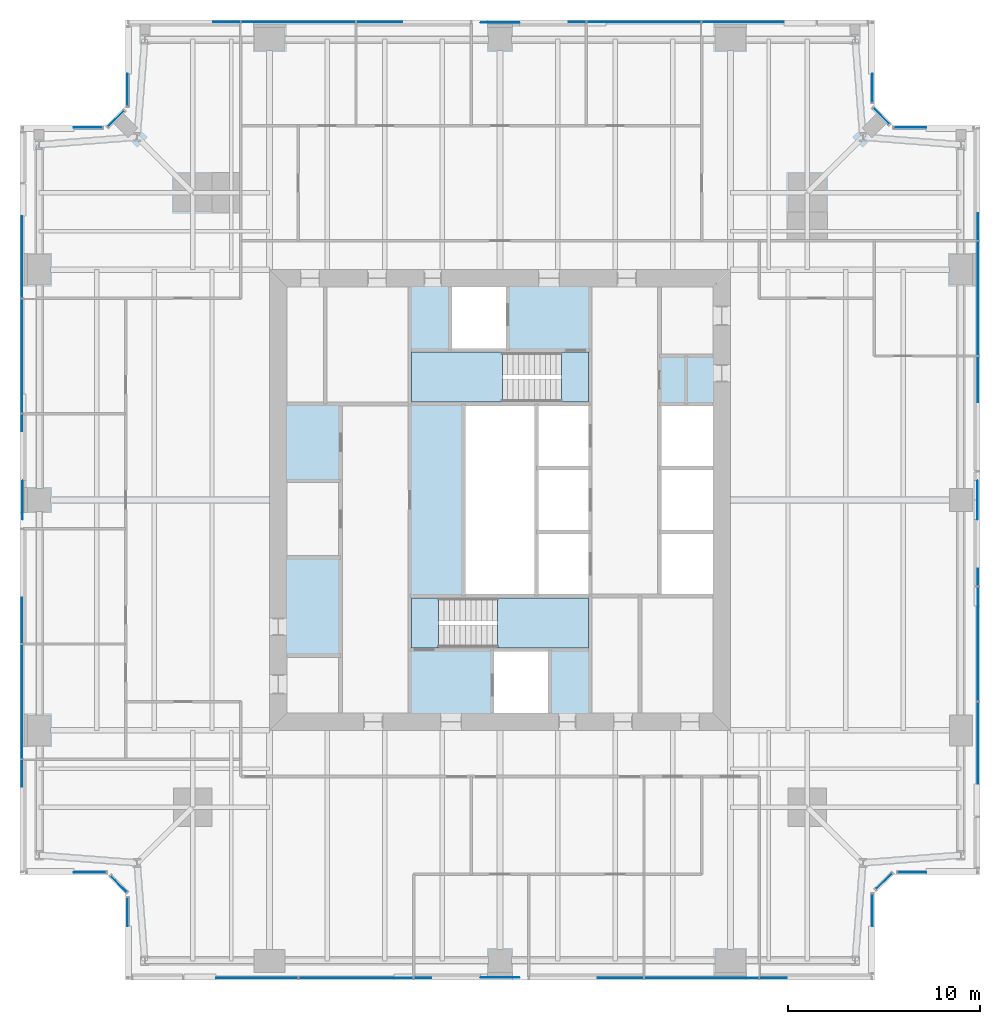
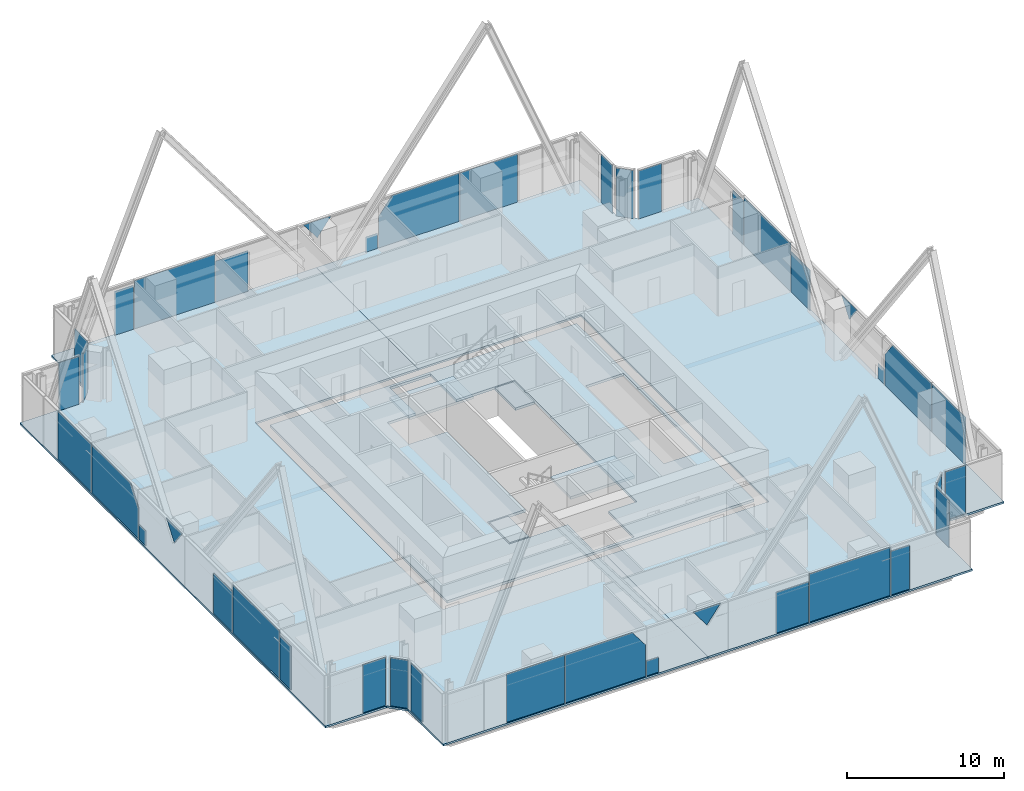
# One storey, part 8 of 14: 40 plates, 7 slabs, 18 elements without a shape of their own.
"""IFC4 building model written with IfcOpenShell, lengths in metres."""

from ifc_helpers import new_model, si_unit, direction, frame, origin, origin_2d, place, context, subcontext, project, spatial, polyline, rectangle, outline, extrude, material, layer, layer_set, type_object, element, aggregate, save


model = new_model("IFC4")

# Units and contexts
model_context = context("Model", 3, precision=1e-05, world=origin(), true_north=direction((0.0, 1.0)))
body_context = subcontext(model_context, "Body", "Model", "MODEL_VIEW")
ifc_project = project(units=[si_unit("LENGTHUNIT", "METRE"), si_unit("AREAUNIT", "SQUARE_METRE"), si_unit("VOLUMEUNIT", "CUBIC_METRE"), si_unit("PLANEANGLEUNIT", "RADIAN"), si_unit("MASSUNIT", "GRAM", prefix="KILO")], contexts=[model_context])

# Site, building, storey
site_placement = place(None, origin())
site = spatial("IfcSite", under=ifc_project, at=site_placement, CompositionType="ELEMENT")
building_placement = place(site_placement, origin())
building = spatial("IfcBuilding", under=site, at=building_placement, Name="Fenwick Lantern Interchange", CompositionType="ELEMENT")
storey_placement = place(building_placement, frame((0.0, 0.0, 185.800048828125)))
storey = spatial("IfcBuildingStorey", under=building, at=storey_placement, Name="L43", CompositionType="ELEMENT", Elevation=185.800048828125)

# Slabs
ifc_material_1 = material(Name="Concrete f'c 35 MPa", Category="concrete")
ifc_layer_1 = layer(ifc_material_1, 0.199951171875)
ifc_layer_set_1 = layer_set([ifc_layer_1], Name="CORE FLOOR SLAB 200")
slab_type_1 = type_object("IfcSlabType", Name="CORE FLOOR SLAB 200", PredefinedType="FLOOR", material=ifc_layer_set_1)
slab_1_placement = place(storey_placement, frame((0.0, 0.0, -0.199951171875)))
element("IfcSlab", 1, at=slab_1_placement, inside=storey, type_object=slab_type_1, Name="L43/SLAB/CORE", PredefinedType="FLOOR", context=body_context, shape_type="SweptSolid", body=[
    extrude(outline(polyline([(13.699951171875, 36.300048828125), (36.300048828125, 36.300048828125), (36.300048828125, 13.699951171875), (13.699951171875, 13.699951171875), (13.699951171875, 36.300048828125)]), holes=[polyline([(24.60009765625, 13.89990234375), (27.60009765625, 13.89990234375), (27.60009765625, 17.199951171875), (29.699951171875, 17.199951171875), (29.699951171875, 20.0), (29.699951171875, 23.333251953125), (29.699951171875, 26.666748046875), (29.699951171875, 30.0), (29.699951171875, 32.800048828125), (25.39990234375, 32.800048828125), (25.39990234375, 36.10009765625), (22.39990234375, 36.10009765625), (22.39990234375, 32.800048828125), (20.300048828125, 32.800048828125), (20.300048828125, 30.0), (23.10009765625, 30.0), (23.10009765625, 20.0), (20.300048828125, 20.0), (20.300048828125, 17.199951171875), (24.60009765625, 17.199951171875), (24.60009765625, 13.89990234375)]), polyline([(33.300048828125, 23.333251953125), (33.300048828125, 20.0), (36.10009765625, 20.0), (36.10009765625, 23.333251953125), (36.10009765625, 26.666748046875), (36.10009765625, 30.0), (33.300048828125, 30.0), (33.300048828125, 26.666748046875), (33.300048828125, 23.333251953125)])]), origin(), (0.0, 0.0, 1.0), 0.199951171875),
])
ifc_material_2 = material(Name="Concrete f'c 35 MPa", Category="concrete")
ifc_layer_2 = layer(ifc_material_2, 0.14990234375)
ifc_layer_set_2 = layer_set([ifc_layer_2], Name="Concrete f'c 35 MPa")
slab_type_2 = type_object("IfcSlabType", Name="FLOOR SLAB 150", PredefinedType="FLOOR", material=ifc_layer_set_2)
slab_2_placement = place(storey_placement, frame((0.0, 0.0, -0.150146484375)))
element("IfcSlab", 2, at=slab_2_placement, inside=storey, type_object=slab_type_2, Name="L43/SLAB/FW", PredefinedType="FLOOR", context=body_context, shape_type="SweptSolid", body=[
    extrude(outline(polyline([(5.5, 0.0), (5.5, 4.5), (4.5, 5.5), (0.0, 5.5), (0.0, 44.5), (4.5, 44.5), (5.5, 45.5), (5.5, 50.0), (25.0, 50.0), (25.0, 37.0), (13.0, 37.0), (13.0, 13.0), (25.0, 13.0), (25.0, 0.0), (5.5, 0.0)])), origin(), (0.0, 0.0, 1.0), 0.150146484375),
])
slab_3_placement = place(storey_placement, frame((0.0, 0.0, -0.150146484375)))
element("IfcSlab", 3, at=slab_3_placement, inside=storey, type_object=slab_type_2, Name="L43/SLAB/FE", PredefinedType="FLOOR", context=body_context, shape_type="SweptSolid", body=[
    extrude(outline(polyline([(44.5, 50.0), (44.5, 45.5), (45.5, 44.5), (50.0, 44.5), (50.0, 5.5), (45.5, 5.5), (44.5, 4.5), (44.5, 0.0), (25.0, 0.0), (25.0, 13.0), (37.0, 13.0), (37.0, 37.0), (25.0, 37.0), (25.0, 50.0), (44.5, 50.0)])), origin(), (0.0, 0.0, 1.0), 0.150146484375),
])

# Curtain wall, plates
ifc_material_3 = material(Name="Aluminium curtain wall frame", Category="aluminium")
curtain_wall_type = type_object("IfcCurtainWallType", Name="OFFICE CURTAIN WALL", PredefinedType="USERDEFINED", material=ifc_material_3)
curtain_wall_1_placement = place(storey_placement, origin())
curtain_wall_1 = element("IfcCurtainWall", 4, at=curtain_wall_1_placement, inside=storey, type_object=curtain_wall_type, Name="Office curtain wall 01", ObjectType="OFFICE CURTAIN WALL", PredefinedType="USERDEFINED")
ifc_material_4 = material(Name="Vision glass, clear low-iron double glazed", Category="glass")
ifc_layer_3 = layer(ifc_material_4, 0.031982421875)
ifc_layer_set_3 = layer_set([ifc_layer_3], Name="OFFICE CURTAIN WALL PANEL 32")
plate_type = type_object("IfcPlateType", Name="OFFICE CURTAIN WALL PANEL 32", PredefinedType="CURTAIN_PANEL", material=ifc_layer_set_3)
plate_1_placement = place(storey_placement, frame((5.60009765625, 0.10009765625, 0.0), z_axis=(0.0, 0.0, 1.0), x_axis=(1.0, 0.0, 0.0)))
plate_1 = element("IfcPlate", 5, at=plate_1_placement, type_object=plate_type, Name="L43/CW/01/P01a", PredefinedType="CURTAIN_PANEL", context=body_context, shape_type="SweptSolid", body=[
    extrude(outline(polyline([(4.614013671875, 0.0), (8.867431640625, 0.0), (8.867431640625, 3.75), (4.614013671875, 3.75), (4.614013671875, 0.0)])), frame((0.0, 0.01611328125, 0.0), z_axis=(0.0, -1.0, 0.0), x_axis=(1.0, 0.0, 0.0)), (0.0, 0.0, 1.0), 0.031982421875),
])
plate_2_placement = place(storey_placement, frame((5.60009765625, 0.10009765625, 0.0), z_axis=(0.0, 0.0, 1.0), x_axis=(1.0, 0.0, 0.0)))
plate_2 = element("IfcPlate", 6, at=plate_2_placement, type_object=plate_type, Name="L43/CW/01/P02a", PredefinedType="CURTAIN_PANEL", context=body_context, shape_type="SweptSolid", body=[
    extrude(outline(polyline([(8.9326171875, 0.0), (14.867431640625, 0.0), (14.867431640625, 2.437255859375), (13.883056640625, 3.75), (8.9326171875, 3.75), (8.9326171875, 0.0)])), frame((0.0, 0.01611328125, 0.0), z_axis=(0.0, -1.0, 0.0), x_axis=(1.0, 0.0, 0.0)), (0.0, 0.0, 1.0), 0.031982421875),
])
plate_3_placement = place(storey_placement, frame((5.60009765625, 0.10009765625, 0.0), z_axis=(0.0, 0.0, 1.0), x_axis=(1.0, 0.0, 0.0)))
plate_3 = element("IfcPlate", 7, at=plate_3_placement, type_object=plate_type, Name="L43/CW/01/P03a", PredefinedType="CURTAIN_PANEL", context=body_context, shape_type="SweptSolid", body=[
    extrude(outline(polyline([(14.9326171875, 0.0), (15.8125, 0.0), (15.8125, 1.17724609375), (14.9326171875, 1.17724609375), (14.9326171875, 0.0)])), frame((0.0, 0.01611328125, 0.0), z_axis=(0.0, -1.0, 0.0), x_axis=(1.0, 0.0, 0.0)), (0.0, 0.0, 1.0), 0.031982421875),
])
plate_4_placement = place(storey_placement, frame((5.60009765625, 0.10009765625, 2.39404296875), z_axis=(0.0, 0.0, 1.0), x_axis=(1.0, 0.0, 0.0)))
plate_4 = element("IfcPlate", 8, at=plate_4_placement, type_object=plate_type, Name="L43/CW/01/P03b", PredefinedType="CURTAIN_PANEL", context=body_context, shape_type="SweptSolid", body=[
    extrude(outline(polyline([(19.39990234375, 0.0), (20.4169921875, 1.35595703125), (18.383056640625, 1.35595703125), (19.39990234375, 0.0)])), frame((0.0, 0.0498046875, 0.0), z_axis=(0.0, -1.0, 0.0), x_axis=(1.0, 0.0, 0.0)), (0.0, 0.0, 1.0), 0.031982421875),
])
plate_5_placement = place(storey_placement, frame((5.60009765625, 0.10009765625, 0.0), z_axis=(0.0, 0.0, 1.0), x_axis=(1.0, 0.0, 0.0)))
plate_5 = element("IfcPlate", 9, at=plate_5_placement, type_object=plate_type, Name="L43/CW/01/P04a", PredefinedType="CURTAIN_PANEL", context=body_context, shape_type="SweptSolid", body=[
    extrude(outline(polyline([(24.484619140625, 0.0), (26.867431640625, 0.0), (26.867431640625, 3.17333984375), (24.484619140625, 3.17333984375), (24.484619140625, 0.0)])), frame((0.0, 0.01611328125, 0.0), z_axis=(0.0, -1.0, 0.0), x_axis=(1.0, 0.0, 0.0)), (0.0, 0.0, 1.0), 0.031982421875),
])
plate_6_placement = place(storey_placement, frame((35.5, 0.10009765625, 0.0), z_axis=(0.0, 0.0, 1.0), x_axis=(1.0, 0.0, 0.0)))
plate_6 = element("IfcPlate", 10, at=plate_6_placement, type_object=plate_type, Name="L43/CW/01/P05", PredefinedType="CURTAIN_PANEL", context=body_context, shape_type="SweptSolid", body=[
    extrude(rectangle(XDim=5.93505859375, YDim=0.031982421875, at=origin_2d()), origin(), (0.0, 0.0, 1.0), 3.75),
])
plate_7_placement = place(storey_placement, frame((5.60009765625, 0.10009765625, 0.0), z_axis=(0.0, 0.0, 1.0), x_axis=(1.0, 0.0, 0.0)))
plate_7 = element("IfcPlate", 11, at=plate_7_placement, type_object=plate_type, Name="L43/CW/01/P06a", PredefinedType="CURTAIN_PANEL", context=body_context, shape_type="SweptSolid", body=[
    extrude(outline(polyline([(32.9326171875, 0.0), (34.322509765625, 0.0), (34.322509765625, 3.417724609375), (32.9326171875, 3.417724609375), (32.9326171875, 0.0)])), frame((0.0, 0.01611328125, 0.0), z_axis=(0.0, -1.0, 0.0), x_axis=(1.0, 0.0, 0.0)), (0.0, 0.0, 1.0), 0.031982421875),
])
aggregate(curtain_wall_1, [plate_1, plate_2, plate_3, plate_4, plate_5, plate_6, plate_7])

# Curtain wall, plate
curtain_wall_2_placement = place(storey_placement, origin())
curtain_wall_2 = element("IfcCurtainWall", 12, at=curtain_wall_2_placement, inside=storey, type_object=curtain_wall_type, Name="Office curtain wall 02", ObjectType="OFFICE CURTAIN WALL", PredefinedType="USERDEFINED")
plate_8_placement = place(storey_placement, frame((44.39990234375, 0.10009765625, 0.0), z_axis=(0.0, 0.0, 1.0), x_axis=(0.0, 1.0, 0.0)))
plate_8 = element("IfcPlate", 13, at=plate_8_placement, type_object=plate_type, Name="L43/CW/02/P00a", PredefinedType="CURTAIN_PANEL", context=body_context, shape_type="SweptSolid", body=[
    extrude(outline(polyline([(2.699951171875, 0.0), (4.37646484375, 0.0), (4.37646484375, 3.75), (2.699951171875, 3.75), (2.699951171875, 0.0)])), frame((0.0, 0.01611328125, 0.0), z_axis=(0.0, -1.0, 0.0), x_axis=(1.0, 0.0, 0.0)), (0.0, 0.0, 1.0), 0.031982421875),
])
aggregate(curtain_wall_2, [plate_8])

curtain_wall_3_placement = place(storey_placement, origin())
curtain_wall_3 = element("IfcCurtainWall", 14, at=curtain_wall_3_placement, inside=storey, type_object=curtain_wall_type, Name="Office curtain wall 03", ObjectType="OFFICE CURTAIN WALL", PredefinedType="USERDEFINED")
plate_9_placement = place(storey_placement, frame((45.0, 5.141357421875, 0.0), z_axis=(0.0, 0.0, 1.0), x_axis=(0.707106781187, 0.707106781187, 0.0)))
plate_9 = element("IfcPlate", 15, at=plate_9_placement, type_object=plate_type, Name="L43/CW/03/P00", PredefinedType="CURTAIN_PANEL", context=body_context, shape_type="SweptSolid", body=[
    extrude(rectangle(XDim=1.1669921875, YDim=0.031982421875, at=origin_2d()), origin(), (0.0, 0.0, 1.0), 3.75),
])
aggregate(curtain_wall_3, [plate_9])

curtain_wall_4_placement = place(storey_placement, origin())
curtain_wall_4 = element("IfcCurtainWall", 16, at=curtain_wall_4_placement, inside=storey, type_object=curtain_wall_type, Name="Office curtain wall 04", ObjectType="OFFICE CURTAIN WALL", PredefinedType="USERDEFINED")
plate_10_placement = place(storey_placement, frame((45.45849609375, 5.60009765625, 0.0), z_axis=(0.0, 0.0, 1.0), x_axis=(1.0, 0.0, 0.0)))
plate_10 = element("IfcPlate", 17, at=plate_10_placement, type_object=plate_type, Name="L43/CW/04/P00a", PredefinedType="CURTAIN_PANEL", context=body_context, shape_type="SweptSolid", body=[
    extrude(outline(polyline([(0.264892578125, 0.0), (1.741455078125, 0.0), (1.741455078125, 3.75), (0.264892578125, 3.75), (0.264892578125, 0.0)])), frame((0.0, 0.01611328125, 0.0), z_axis=(0.0, -1.0, 0.0), x_axis=(1.0, 0.0, 0.0)), (0.0, 0.0, 1.0), 0.031982421875),
])
aggregate(curtain_wall_4, [plate_10])

# Curtain wall, plates
curtain_wall_5_placement = place(storey_placement, origin())
curtain_wall_5 = element("IfcCurtainWall", 18, at=curtain_wall_5_placement, inside=storey, type_object=curtain_wall_type, Name="Office curtain wall 05", ObjectType="OFFICE CURTAIN WALL", PredefinedType="USERDEFINED")
plate_11_placement = place(storey_placement, frame((49.89990234375, 5.60009765625, 0.0), z_axis=(0.0, 0.0, 1.0), x_axis=(0.0, 1.0, 0.0)))
plate_11 = element("IfcPlate", 19, at=plate_11_placement, type_object=plate_type, Name="L43/CW/05/P01a", PredefinedType="CURTAIN_PANEL", context=body_context, shape_type="SweptSolid", body=[
    extrude(outline(polyline([(4.614013671875, 0.0), (8.867431640625, 0.0), (8.867431640625, 3.75), (4.614013671875, 3.75), (4.614013671875, 0.0)])), frame((0.0, 0.01611328125, 0.0), z_axis=(0.0, -1.0, 0.0), x_axis=(1.0, 0.0, 0.0)), (0.0, 0.0, 1.0), 0.031982421875),
])
plate_12_placement = place(storey_placement, frame((49.89990234375, 5.60009765625, 0.0), z_axis=(0.0, 0.0, 1.0), x_axis=(0.0, 1.0, 0.0)))
plate_12 = element("IfcPlate", 20, at=plate_12_placement, type_object=plate_type, Name="L43/CW/05/P02a", PredefinedType="CURTAIN_PANEL", context=body_context, shape_type="SweptSolid", body=[
    extrude(outline(polyline([(8.9326171875, 0.0), (14.867431640625, 0.0), (14.867431640625, 2.437255859375), (13.883056640625, 3.75), (8.9326171875, 3.75), (8.9326171875, 0.0)])), frame((0.0, 0.01611328125, 0.0), z_axis=(0.0, -1.0, 0.0), x_axis=(1.0, 0.0, 0.0)), (0.0, 0.0, 1.0), 0.031982421875),
])
plate_13_placement = place(storey_placement, frame((49.89990234375, 5.60009765625, 0.0), z_axis=(0.0, 0.0, 1.0), x_axis=(0.0, 1.0, 0.0)))
plate_13 = element("IfcPlate", 21, at=plate_13_placement, type_object=plate_type, Name="L43/CW/05/P03a", PredefinedType="CURTAIN_PANEL", context=body_context, shape_type="SweptSolid", body=[
    extrude(outline(polyline([(14.9326171875, 0.0), (15.8125, 0.0), (15.8125, 1.17724609375), (14.9326171875, 1.17724609375), (14.9326171875, 0.0)])), frame((0.0, 0.01611328125, 0.0), z_axis=(0.0, -1.0, 0.0), x_axis=(1.0, 0.0, 0.0)), (0.0, 0.0, 1.0), 0.031982421875),
])
plate_14_placement = place(storey_placement, frame((49.89990234375, 5.60009765625, 2.39404296875), z_axis=(0.0, 0.0, 1.0), x_axis=(0.0, 1.0, 0.0)))
plate_14 = element("IfcPlate", 22, at=plate_14_placement, type_object=plate_type, Name="L43/CW/05/P03b", PredefinedType="CURTAIN_PANEL", context=body_context, shape_type="SweptSolid", body=[
    extrude(outline(polyline([(19.39990234375, 0.0), (20.4169921875, 1.35595703125), (18.383056640625, 1.35595703125), (19.39990234375, 0.0)])), frame((0.0, 0.0498046875, 0.0), z_axis=(0.0, -1.0, 0.0), x_axis=(1.0, 0.0, 0.0)), (0.0, 0.0, 1.0), 0.031982421875),
])
plate_15_placement = place(storey_placement, frame((49.89990234375, 5.60009765625, 0.0), z_axis=(0.0, 0.0, 1.0), x_axis=(0.0, 1.0, 0.0)))
plate_15 = element("IfcPlate", 23, at=plate_15_placement, type_object=plate_type, Name="L43/CW/05/P04a", PredefinedType="CURTAIN_PANEL", context=body_context, shape_type="SweptSolid", body=[
    extrude(outline(polyline([(24.484619140625, 0.0), (26.867431640625, 0.0), (26.867431640625, 3.17333984375), (24.484619140625, 3.17333984375), (24.484619140625, 0.0)])), frame((0.0, 0.01611328125, 0.0), z_axis=(0.0, -1.0, 0.0), x_axis=(1.0, 0.0, 0.0)), (0.0, 0.0, 1.0), 0.031982421875),
])
plate_16_placement = place(storey_placement, frame((49.89990234375, 35.5, 0.0), z_axis=(0.0, 0.0, 1.0), x_axis=(0.0, 1.0, 0.0)))
plate_16 = element("IfcPlate", 24, at=plate_16_placement, type_object=plate_type, Name="L43/CW/05/P05", PredefinedType="CURTAIN_PANEL", context=body_context, shape_type="SweptSolid", body=[
    extrude(rectangle(XDim=5.93505859375, YDim=0.031982421875, at=origin_2d()), origin(), (0.0, 0.0, 1.0), 3.75),
])
plate_17_placement = place(storey_placement, frame((49.89990234375, 5.60009765625, 0.0), z_axis=(0.0, 0.0, 1.0), x_axis=(0.0, 1.0, 0.0)))
plate_17 = element("IfcPlate", 25, at=plate_17_placement, type_object=plate_type, Name="L43/CW/05/P06a", PredefinedType="CURTAIN_PANEL", context=body_context, shape_type="SweptSolid", body=[
    extrude(outline(polyline([(32.9326171875, 0.0), (34.322509765625, 0.0), (34.322509765625, 3.417724609375), (32.9326171875, 3.417724609375), (32.9326171875, 0.0)])), frame((0.0, 0.01611328125, 0.0), z_axis=(0.0, -1.0, 0.0), x_axis=(1.0, 0.0, 0.0)), (0.0, 0.0, 1.0), 0.031982421875),
])
aggregate(curtain_wall_5, [plate_11, plate_12, plate_13, plate_14, plate_15, plate_16, plate_17])

# Curtain wall, plate
curtain_wall_6_placement = place(storey_placement, origin())
curtain_wall_6 = element("IfcCurtainWall", 26, at=curtain_wall_6_placement, inside=storey, type_object=curtain_wall_type, Name="Office curtain wall 06", ObjectType="OFFICE CURTAIN WALL", PredefinedType="USERDEFINED")
plate_18_placement = place(storey_placement, frame((49.89990234375, 44.39990234375, 0.0), z_axis=(0.0, 0.0, 1.0), x_axis=(-1.0, 0.0, 0.0)))
plate_18 = element("IfcPlate", 27, at=plate_18_placement, type_object=plate_type, Name="L43/CW/06/P00a", PredefinedType="CURTAIN_PANEL", context=body_context, shape_type="SweptSolid", body=[
    extrude(outline(polyline([(2.699951171875, 0.0), (4.37646484375, 0.0), (4.37646484375, 3.75), (2.699951171875, 3.75), (2.699951171875, 0.0)])), frame((0.0, 0.01611328125, 0.0), z_axis=(0.0, -1.0, 0.0), x_axis=(1.0, 0.0, 0.0)), (0.0, 0.0, 1.0), 0.031982421875),
])
aggregate(curtain_wall_6, [plate_18])

curtain_wall_7_placement = place(storey_placement, origin())
curtain_wall_7 = element("IfcCurtainWall", 28, at=curtain_wall_7_placement, inside=storey, type_object=curtain_wall_type, Name="Office curtain wall 07", ObjectType="OFFICE CURTAIN WALL", PredefinedType="USERDEFINED")
plate_19_placement = place(storey_placement, frame((44.858642578125, 45.0, 0.0), z_axis=(0.0, 0.0, 1.0), x_axis=(-0.707106781187, 0.707106781187, 0.0)))
plate_19 = element("IfcPlate", 29, at=plate_19_placement, type_object=plate_type, Name="L43/CW/07/P00", PredefinedType="CURTAIN_PANEL", context=body_context, shape_type="SweptSolid", body=[
    extrude(rectangle(XDim=1.1669921875, YDim=0.031982421875, at=origin_2d()), origin(), (0.0, 0.0, 1.0), 3.75),
])
aggregate(curtain_wall_7, [plate_19])

curtain_wall_8_placement = place(storey_placement, origin())
curtain_wall_8 = element("IfcCurtainWall", 30, at=curtain_wall_8_placement, inside=storey, type_object=curtain_wall_type, Name="Office curtain wall 08", ObjectType="OFFICE CURTAIN WALL", PredefinedType="USERDEFINED")
plate_20_placement = place(storey_placement, frame((44.39990234375, 45.45849609375, 0.0), z_axis=(0.0, 0.0, 1.0), x_axis=(0.0, 1.0, 0.0)))
plate_20 = element("IfcPlate", 31, at=plate_20_placement, type_object=plate_type, Name="L43/CW/08/P00a", PredefinedType="CURTAIN_PANEL", context=body_context, shape_type="SweptSolid", body=[
    extrude(outline(polyline([(0.264892578125, 0.0), (1.741455078125, 0.0), (1.741455078125, 3.75), (0.264892578125, 3.75), (0.264892578125, 0.0)])), frame((0.0, 0.01611328125, 0.0), z_axis=(0.0, -1.0, 0.0), x_axis=(1.0, 0.0, 0.0)), (0.0, 0.0, 1.0), 0.031982421875),
])
aggregate(curtain_wall_8, [plate_20])

# Curtain wall, plates
curtain_wall_9_placement = place(storey_placement, origin())
curtain_wall_9 = element("IfcCurtainWall", 32, at=curtain_wall_9_placement, inside=storey, type_object=curtain_wall_type, Name="Office curtain wall 09", ObjectType="OFFICE CURTAIN WALL", PredefinedType="USERDEFINED")
plate_21_placement = place(storey_placement, frame((44.39990234375, 49.89990234375, 0.0), z_axis=(0.0, 0.0, 1.0), x_axis=(-1.0, 0.0, 0.0)))
plate_21 = element("IfcPlate", 33, at=plate_21_placement, type_object=plate_type, Name="L43/CW/09/P01a", PredefinedType="CURTAIN_PANEL", context=body_context, shape_type="SweptSolid", body=[
    extrude(outline(polyline([(4.614013671875, 0.0), (8.867431640625, 0.0), (8.867431640625, 3.75), (4.614013671875, 3.75), (4.614013671875, 0.0)])), frame((0.0, 0.01611328125, 0.0), z_axis=(0.0, -1.0, 0.0), x_axis=(1.0, 0.0, 0.0)), (0.0, 0.0, 1.0), 0.031982421875),
])
plate_22_placement = place(storey_placement, frame((44.39990234375, 49.89990234375, 0.0), z_axis=(0.0, 0.0, 1.0), x_axis=(-1.0, 0.0, 0.0)))
plate_22 = element("IfcPlate", 34, at=plate_22_placement, type_object=plate_type, Name="L43/CW/09/P02a", PredefinedType="CURTAIN_PANEL", context=body_context, shape_type="SweptSolid", body=[
    extrude(outline(polyline([(8.9326171875, 0.0), (14.867431640625, 0.0), (14.867431640625, 2.437255859375), (13.883056640625, 3.75), (8.9326171875, 3.75), (8.9326171875, 0.0)])), frame((0.0, 0.01611328125, 0.0), z_axis=(0.0, -1.0, 0.0), x_axis=(1.0, 0.0, 0.0)), (0.0, 0.0, 1.0), 0.031982421875),
])
plate_23_placement = place(storey_placement, frame((44.39990234375, 49.89990234375, 0.0), z_axis=(0.0, 0.0, 1.0), x_axis=(-1.0, 0.0, 0.0)))
plate_23 = element("IfcPlate", 35, at=plate_23_placement, type_object=plate_type, Name="L43/CW/09/P03a", PredefinedType="CURTAIN_PANEL", context=body_context, shape_type="SweptSolid", body=[
    extrude(outline(polyline([(14.9326171875, 0.0), (15.8125, 0.0), (15.8125, 1.17724609375), (14.9326171875, 1.17724609375), (14.9326171875, 0.0)])), frame((0.0, 0.01611328125, 0.0), z_axis=(0.0, -1.0, 0.0), x_axis=(1.0, 0.0, 0.0)), (0.0, 0.0, 1.0), 0.031982421875),
])
plate_24_placement = place(storey_placement, frame((44.39990234375, 49.89990234375, 2.39404296875), z_axis=(0.0, 0.0, 1.0), x_axis=(-1.0, 0.0, 0.0)))
plate_24 = element("IfcPlate", 36, at=plate_24_placement, type_object=plate_type, Name="L43/CW/09/P03b", PredefinedType="CURTAIN_PANEL", context=body_context, shape_type="SweptSolid", body=[
    extrude(outline(polyline([(19.39990234375, 0.0), (20.4169921875, 1.35595703125), (18.383056640625, 1.35595703125), (19.39990234375, 0.0)])), frame((0.0, 0.0498046875, 0.0), z_axis=(0.0, -1.0, 0.0), x_axis=(1.0, 0.0, 0.0)), (0.0, 0.0, 1.0), 0.031982421875),
])
plate_25_placement = place(storey_placement, frame((44.39990234375, 49.89990234375, 0.0), z_axis=(0.0, 0.0, 1.0), x_axis=(-1.0, 0.0, 0.0)))
plate_25 = element("IfcPlate", 37, at=plate_25_placement, type_object=plate_type, Name="L43/CW/09/P04a", PredefinedType="CURTAIN_PANEL", context=body_context, shape_type="SweptSolid", body=[
    extrude(outline(polyline([(24.484619140625, 0.0), (26.867431640625, 0.0), (26.867431640625, 3.17333984375), (24.484619140625, 3.17333984375), (24.484619140625, 0.0)])), frame((0.0, 0.01611328125, 0.0), z_axis=(0.0, -1.0, 0.0), x_axis=(1.0, 0.0, 0.0)), (0.0, 0.0, 1.0), 0.031982421875),
])
plate_26_placement = place(storey_placement, frame((14.5, 49.89990234375, 0.0), z_axis=(0.0, 0.0, 1.0), x_axis=(-1.0, 0.0, 0.0)))
plate_26 = element("IfcPlate", 38, at=plate_26_placement, type_object=plate_type, Name="L43/CW/09/P05", PredefinedType="CURTAIN_PANEL", context=body_context, shape_type="SweptSolid", body=[
    extrude(rectangle(XDim=5.93505859375, YDim=0.031982421875, at=origin_2d()), origin(), (0.0, 0.0, 1.0), 3.75),
])
plate_27_placement = place(storey_placement, frame((44.39990234375, 49.89990234375, 0.0), z_axis=(0.0, 0.0, 1.0), x_axis=(-1.0, 0.0, 0.0)))
plate_27 = element("IfcPlate", 39, at=plate_27_placement, type_object=plate_type, Name="L43/CW/09/P06a", PredefinedType="CURTAIN_PANEL", context=body_context, shape_type="SweptSolid", body=[
    extrude(outline(polyline([(32.9326171875, 0.0), (34.322509765625, 0.0), (34.322509765625, 3.417724609375), (32.9326171875, 3.417724609375), (32.9326171875, 0.0)])), frame((0.0, 0.01611328125, 0.0), z_axis=(0.0, -1.0, 0.0), x_axis=(1.0, 0.0, 0.0)), (0.0, 0.0, 1.0), 0.031982421875),
])
aggregate(curtain_wall_9, [plate_21, plate_22, plate_23, plate_24, plate_25, plate_26, plate_27])

# Curtain wall, plate
curtain_wall_10_placement = place(storey_placement, origin())
curtain_wall_10 = element("IfcCurtainWall", 40, at=curtain_wall_10_placement, inside=storey, type_object=curtain_wall_type, Name="Office curtain wall 10", ObjectType="OFFICE CURTAIN WALL", PredefinedType="USERDEFINED")
plate_28_placement = place(storey_placement, frame((5.60009765625, 49.89990234375, 0.0), z_axis=(0.0, 0.0, 1.0), x_axis=(0.0, -1.0, 0.0)))
plate_28 = element("IfcPlate", 41, at=plate_28_placement, type_object=plate_type, Name="L43/CW/10/P00a", PredefinedType="CURTAIN_PANEL", context=body_context, shape_type="SweptSolid", body=[
    extrude(outline(polyline([(2.699951171875, 0.0), (4.37646484375, 0.0), (4.37646484375, 3.75), (2.699951171875, 3.75), (2.699951171875, 0.0)])), frame((0.0, 0.01611328125, 0.0), z_axis=(0.0, -1.0, 0.0), x_axis=(1.0, 0.0, 0.0)), (0.0, 0.0, 1.0), 0.031982421875),
])
aggregate(curtain_wall_10, [plate_28])

curtain_wall_11_placement = place(storey_placement, origin())
curtain_wall_11 = element("IfcCurtainWall", 42, at=curtain_wall_11_placement, inside=storey, type_object=curtain_wall_type, Name="Office curtain wall 11", ObjectType="OFFICE CURTAIN WALL", PredefinedType="USERDEFINED")
plate_29_placement = place(storey_placement, frame((5.0, 44.858642578125, 0.0), z_axis=(0.0, 0.0, 1.0), x_axis=(-0.707106781187, -0.707106781187, 0.0)))
plate_29 = element("IfcPlate", 43, at=plate_29_placement, type_object=plate_type, Name="L43/CW/11/P00", PredefinedType="CURTAIN_PANEL", context=body_context, shape_type="SweptSolid", body=[
    extrude(rectangle(XDim=1.1669921875, YDim=0.031982421875, at=origin_2d()), origin(), (0.0, 0.0, 1.0), 3.75),
])
aggregate(curtain_wall_11, [plate_29])

curtain_wall_12_placement = place(storey_placement, origin())
curtain_wall_12 = element("IfcCurtainWall", 44, at=curtain_wall_12_placement, inside=storey, type_object=curtain_wall_type, Name="Office curtain wall 12", ObjectType="OFFICE CURTAIN WALL", PredefinedType="USERDEFINED")
plate_30_placement = place(storey_placement, frame((4.54150390625, 44.39990234375, 0.0), z_axis=(0.0, 0.0, 1.0), x_axis=(-1.0, 0.0, 0.0)))
plate_30 = element("IfcPlate", 45, at=plate_30_placement, type_object=plate_type, Name="L43/CW/12/P00a", PredefinedType="CURTAIN_PANEL", context=body_context, shape_type="SweptSolid", body=[
    extrude(outline(polyline([(0.264892578125, 0.0), (1.741455078125, 0.0), (1.741455078125, 3.75), (0.264892578125, 3.75), (0.264892578125, 0.0)])), frame((0.0, 0.01611328125, 0.0), z_axis=(0.0, -1.0, 0.0), x_axis=(1.0, 0.0, 0.0)), (0.0, 0.0, 1.0), 0.031982421875),
])
aggregate(curtain_wall_12, [plate_30])

# Curtain wall, plates
curtain_wall_13_placement = place(storey_placement, origin())
curtain_wall_13 = element("IfcCurtainWall", 46, at=curtain_wall_13_placement, inside=storey, type_object=curtain_wall_type, Name="Office curtain wall 13", ObjectType="OFFICE CURTAIN WALL", PredefinedType="USERDEFINED")
plate_31_placement = place(storey_placement, frame((0.10009765625, 44.39990234375, 0.0), z_axis=(0.0, 0.0, 1.0), x_axis=(0.0, -1.0, 0.0)))
plate_31 = element("IfcPlate", 47, at=plate_31_placement, type_object=plate_type, Name="L43/CW/13/P01a", PredefinedType="CURTAIN_PANEL", context=body_context, shape_type="SweptSolid", body=[
    extrude(outline(polyline([(4.614013671875, 0.0), (8.867431640625, 0.0), (8.867431640625, 3.75), (4.614013671875, 3.75), (4.614013671875, 0.0)])), frame((0.0, 0.01611328125, 0.0), z_axis=(0.0, -1.0, 0.0), x_axis=(1.0, 0.0, 0.0)), (0.0, 0.0, 1.0), 0.031982421875),
])
plate_32_placement = place(storey_placement, frame((0.10009765625, 44.39990234375, 0.0), z_axis=(0.0, 0.0, 1.0), x_axis=(0.0, -1.0, 0.0)))
plate_32 = element("IfcPlate", 48, at=plate_32_placement, type_object=plate_type, Name="L43/CW/13/P02a", PredefinedType="CURTAIN_PANEL", context=body_context, shape_type="SweptSolid", body=[
    extrude(outline(polyline([(8.9326171875, 0.0), (14.867431640625, 0.0), (14.867431640625, 2.437255859375), (13.883056640625, 3.75), (8.9326171875, 3.75), (8.9326171875, 0.0)])), frame((0.0, 0.01611328125, 0.0), z_axis=(0.0, -1.0, 0.0), x_axis=(1.0, 0.0, 0.0)), (0.0, 0.0, 1.0), 0.031982421875),
])
plate_33_placement = place(storey_placement, frame((0.10009765625, 44.39990234375, 0.0), z_axis=(0.0, 0.0, 1.0), x_axis=(0.0, -1.0, 0.0)))
plate_33 = element("IfcPlate", 49, at=plate_33_placement, type_object=plate_type, Name="L43/CW/13/P03a", PredefinedType="CURTAIN_PANEL", context=body_context, shape_type="SweptSolid", body=[
    extrude(outline(polyline([(14.9326171875, 0.0), (15.8125, 0.0), (15.8125, 1.17724609375), (14.9326171875, 1.17724609375), (14.9326171875, 0.0)])), frame((0.0, 0.01611328125, 0.0), z_axis=(0.0, -1.0, 0.0), x_axis=(1.0, 0.0, 0.0)), (0.0, 0.0, 1.0), 0.031982421875),
])
plate_34_placement = place(storey_placement, frame((0.10009765625, 44.39990234375, 2.39404296875), z_axis=(0.0, 0.0, 1.0), x_axis=(0.0, -1.0, 0.0)))
plate_34 = element("IfcPlate", 50, at=plate_34_placement, type_object=plate_type, Name="L43/CW/13/P03b", PredefinedType="CURTAIN_PANEL", context=body_context, shape_type="SweptSolid", body=[
    extrude(outline(polyline([(19.39990234375, 0.0), (20.4169921875, 1.35595703125), (18.383056640625, 1.35595703125), (19.39990234375, 0.0)])), frame((0.0, 0.0498046875, 0.0), z_axis=(0.0, -1.0, 0.0), x_axis=(1.0, 0.0, 0.0)), (0.0, 0.0, 1.0), 0.031982421875),
])
plate_35_placement = place(storey_placement, frame((0.10009765625, 44.39990234375, 0.0), z_axis=(0.0, 0.0, 1.0), x_axis=(0.0, -1.0, 0.0)))
plate_35 = element("IfcPlate", 51, at=plate_35_placement, type_object=plate_type, Name="L43/CW/13/P04a", PredefinedType="CURTAIN_PANEL", context=body_context, shape_type="SweptSolid", body=[
    extrude(outline(polyline([(24.484619140625, 0.0), (26.867431640625, 0.0), (26.867431640625, 3.17333984375), (24.484619140625, 3.17333984375), (24.484619140625, 0.0)])), frame((0.0, 0.01611328125, 0.0), z_axis=(0.0, -1.0, 0.0), x_axis=(1.0, 0.0, 0.0)), (0.0, 0.0, 1.0), 0.031982421875),
])
plate_36_placement = place(storey_placement, frame((0.10009765625, 14.5, 0.0), z_axis=(0.0, 0.0, 1.0), x_axis=(0.0, -1.0, 0.0)))
plate_36 = element("IfcPlate", 52, at=plate_36_placement, type_object=plate_type, Name="L43/CW/13/P05", PredefinedType="CURTAIN_PANEL", context=body_context, shape_type="SweptSolid", body=[
    extrude(rectangle(XDim=5.93505859375, YDim=0.031982421875, at=origin_2d()), origin(), (0.0, 0.0, 1.0), 3.75),
])
plate_37_placement = place(storey_placement, frame((0.10009765625, 44.39990234375, 0.0), z_axis=(0.0, 0.0, 1.0), x_axis=(0.0, -1.0, 0.0)))
plate_37 = element("IfcPlate", 53, at=plate_37_placement, type_object=plate_type, Name="L43/CW/13/P06a", PredefinedType="CURTAIN_PANEL", context=body_context, shape_type="SweptSolid", body=[
    extrude(outline(polyline([(32.9326171875, 0.0), (34.322509765625, 0.0), (34.322509765625, 3.417724609375), (32.9326171875, 3.417724609375), (32.9326171875, 0.0)])), frame((0.0, 0.01611328125, 0.0), z_axis=(0.0, -1.0, 0.0), x_axis=(1.0, 0.0, 0.0)), (0.0, 0.0, 1.0), 0.031982421875),
])
aggregate(curtain_wall_13, [plate_31, plate_32, plate_33, plate_34, plate_35, plate_36, plate_37])

# Curtain wall, plate
curtain_wall_14_placement = place(storey_placement, origin())
curtain_wall_14 = element("IfcCurtainWall", 54, at=curtain_wall_14_placement, inside=storey, type_object=curtain_wall_type, Name="Office curtain wall 14", ObjectType="OFFICE CURTAIN WALL", PredefinedType="USERDEFINED")
plate_38_placement = place(storey_placement, frame((0.10009765625, 5.60009765625, 0.0), z_axis=(0.0, 0.0, 1.0), x_axis=(1.0, 0.0, 0.0)))
plate_38 = element("IfcPlate", 55, at=plate_38_placement, type_object=plate_type, Name="L43/CW/14/P00a", PredefinedType="CURTAIN_PANEL", context=body_context, shape_type="SweptSolid", body=[
    extrude(outline(polyline([(2.699951171875, 0.0), (4.37646484375, 0.0), (4.37646484375, 3.75), (2.699951171875, 3.75), (2.699951171875, 0.0)])), frame((0.0, 0.01611328125, 0.0), z_axis=(0.0, -1.0, 0.0), x_axis=(1.0, 0.0, 0.0)), (0.0, 0.0, 1.0), 0.031982421875),
])
aggregate(curtain_wall_14, [plate_38])

curtain_wall_15_placement = place(storey_placement, origin())
curtain_wall_15 = element("IfcCurtainWall", 56, at=curtain_wall_15_placement, inside=storey, type_object=curtain_wall_type, Name="Office curtain wall 15", ObjectType="OFFICE CURTAIN WALL", PredefinedType="USERDEFINED")
plate_39_placement = place(storey_placement, frame((5.141357421875, 5.0, 0.0), z_axis=(0.0, 0.0, 1.0), x_axis=(0.707106781187, -0.707106781187, 0.0)))
plate_39 = element("IfcPlate", 57, at=plate_39_placement, type_object=plate_type, Name="L43/CW/15/P00", PredefinedType="CURTAIN_PANEL", context=body_context, shape_type="SweptSolid", body=[
    extrude(rectangle(XDim=1.1669921875, YDim=0.031982421875, at=origin_2d()), origin(), (0.0, 0.0, 1.0), 3.75),
])
aggregate(curtain_wall_15, [plate_39])

curtain_wall_16_placement = place(storey_placement, origin())
curtain_wall_16 = element("IfcCurtainWall", 58, at=curtain_wall_16_placement, inside=storey, type_object=curtain_wall_type, Name="Office curtain wall 16", ObjectType="OFFICE CURTAIN WALL", PredefinedType="USERDEFINED")
plate_40_placement = place(storey_placement, frame((5.60009765625, 4.54150390625, 0.0), z_axis=(0.0, 0.0, 1.0), x_axis=(0.0, -1.0, 0.0)))
plate_40 = element("IfcPlate", 59, at=plate_40_placement, type_object=plate_type, Name="L43/CW/16/P00a", PredefinedType="CURTAIN_PANEL", context=body_context, shape_type="SweptSolid", body=[
    extrude(outline(polyline([(0.264892578125, 0.0), (1.741455078125, 0.0), (1.741455078125, 3.75), (0.264892578125, 3.75), (0.264892578125, 0.0)])), frame((0.0, 0.01611328125, 0.0), z_axis=(0.0, -1.0, 0.0), x_axis=(1.0, 0.0, 0.0)), (0.0, 0.0, 1.0), 0.031982421875),
])
aggregate(curtain_wall_16, [plate_40])

# Stair, slabs
ifc_material_5 = material(Name="Precast concrete f'c 35 MPa", Category="concrete")
stair_type = type_object("IfcStairType", Name="EXIT STAIR 1200", PredefinedType="HALF_TURN_STAIR", material=ifc_material_5)
stair_1_placement = place(storey_placement, origin())
stair_1 = element("IfcStair", 60, at=stair_1_placement, inside=storey, type_object=stair_type, Name="Exit stair ST1", PredefinedType="HALF_TURN_STAIR")
ifc_layer_4 = layer(ifc_material_1, 0.199951171875)
ifc_layer_set_4 = layer_set([ifc_layer_4], Name="STAIR LANDING 200")
slab_type_3 = type_object("IfcSlabType", Name="STAIR LANDING 200", PredefinedType="LANDING", material=ifc_layer_set_4)
slab_4_placement = place(storey_placement, frame((0.0, 0.0, 1.800048828125)))
slab_4 = element("IfcSlab", 61, at=slab_4_placement, type_object=slab_type_3, Name="ST1 landing 1", PredefinedType="LANDING", context=body_context, shape_type="SweptSolid", body=[
    extrude(outline(polyline([(24.8798828125, 17.300048828125), (29.60009765625, 17.300048828125), (29.60009765625, 19.89990234375), (24.8798828125, 19.89990234375), (24.8798828125, 17.300048828125)])), origin(), (0.0, 0.0, 1.0), 0.199951171875),
])
slab_5_placement = place(storey_placement, frame((0.0, 0.0, -0.199951171875)))
slab_5 = element("IfcSlab", 62, at=slab_5_placement, type_object=slab_type_3, Name="ST1 landing 2", PredefinedType="LANDING", context=body_context, shape_type="SweptSolid", body=[
    extrude(outline(polyline([(20.39990234375, 17.300048828125), (21.800048828125, 17.300048828125), (21.800048828125, 19.89990234375), (20.39990234375, 19.89990234375), (20.39990234375, 17.300048828125)])), origin(), (0.0, 0.0, 1.0), 0.199951171875),
])
aggregate(stair_1, [slab_4, slab_5])

stair_2_placement = place(storey_placement, origin())
stair_2 = element("IfcStair", 63, at=stair_2_placement, inside=storey, type_object=stair_type, Name="Exit stair ST2", PredefinedType="HALF_TURN_STAIR")
slab_6_placement = place(storey_placement, frame((0.0, 0.0, 1.800048828125)))
slab_6 = element("IfcSlab", 64, at=slab_6_placement, type_object=slab_type_3, Name="ST2 landing 1", PredefinedType="LANDING", context=body_context, shape_type="SweptSolid", body=[
    extrude(outline(polyline([(25.1201171875, 32.699951171875), (20.39990234375, 32.699951171875), (20.39990234375, 30.10009765625), (25.1201171875, 30.10009765625), (25.1201171875, 32.699951171875)])), origin(), (0.0, 0.0, 1.0), 0.199951171875),
])
slab_7_placement = place(storey_placement, frame((0.0, 0.0, -0.199951171875)))
slab_7 = element("IfcSlab", 65, at=slab_7_placement, type_object=slab_type_3, Name="ST2 landing 2", PredefinedType="LANDING", context=body_context, shape_type="SweptSolid", body=[
    extrude(outline(polyline([(29.60009765625, 32.699951171875), (28.199951171875, 32.699951171875), (28.199951171875, 30.10009765625), (29.60009765625, 30.10009765625), (29.60009765625, 32.699951171875)])), origin(), (0.0, 0.0, 1.0), 0.199951171875),
])
aggregate(stair_2, [slab_6, slab_7])

save(model, "model.ifc")
